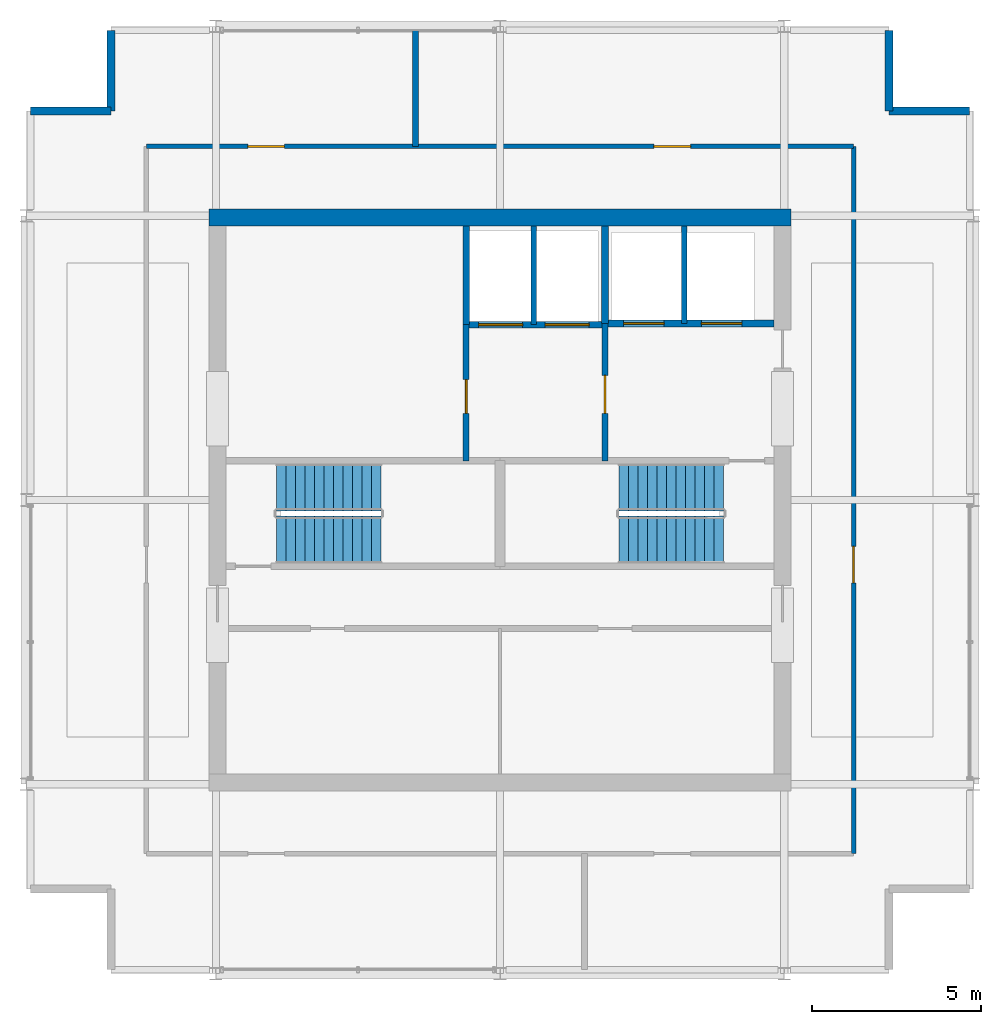
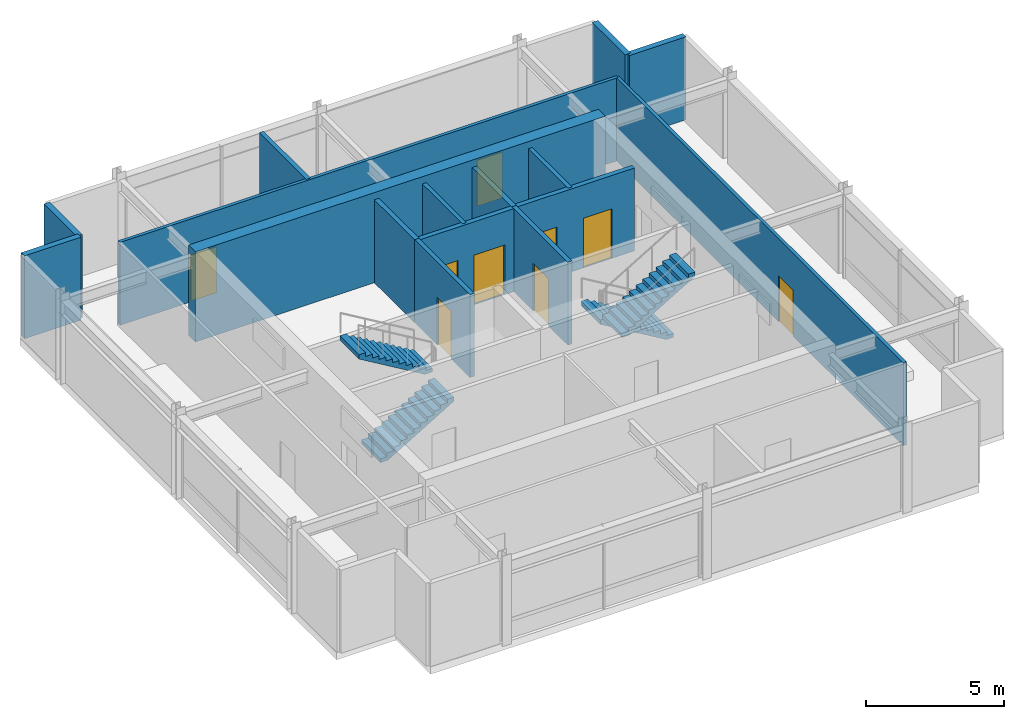
# One storey, part 10 of 12: 16 walls, 9 doors, 4 stair flights, 9 openings, 2 elements without a shape of their own.
"""IFC4 building model written with IfcOpenShell, lengths in metres."""

from ifc_helpers import new_model, si_unit, direction, frame, frame_2d, origin, place, context, subcontext, project, spatial, polyline, rectangle, outline, extrude, material, layer, layer_set, type_object, element, fill, aggregate, save


model = new_model("IFC4")

# Units and contexts
model_context = context("Model", 3, precision=1e-05, world=origin(), true_north=direction((0.0, 1.0)))
body_context = subcontext(model_context, "Body", "Model", "MODEL_VIEW")
ifc_project = project(units=[si_unit("LENGTHUNIT", "METRE"), si_unit("AREAUNIT", "SQUARE_METRE"), si_unit("VOLUMEUNIT", "CUBIC_METRE"), si_unit("PLANEANGLEUNIT", "RADIAN"), si_unit("MASSUNIT", "GRAM", prefix="KILO")], contexts=[model_context])

# Site, building, storey
site_placement = place(None, origin())
site = spatial("IfcSite", under=ifc_project, at=site_placement, CompositionType="ELEMENT")
building_placement = place(site_placement, origin())
building = spatial("IfcBuilding", under=site, at=building_placement, Name="Drelvath Grand Hotel", CompositionType="ELEMENT")
storey_placement = place(building_placement, frame((0.0, 0.0, 315.39990234375)))
storey = spatial("IfcBuildingStorey", under=building, at=storey_placement, Name="L82", CompositionType="ELEMENT", Elevation=315.39990234375)

# Wall, openings, doors
ifc_material_1 = material(Name="Concrete C40/50", Category="concrete")
ifc_layer_1 = layer(ifc_material_1, 0.199951171875)
ifc_layer_set_1 = layer_set([ifc_layer_1], Name="Concrete C40/50")
wall_type_1 = type_object("IfcWallType", Name="Core Hoistway Fire Wall 200", PredefinedType="SOLIDWALL", material=ifc_layer_set_1)
wall_1_placement = place(storey_placement, frame((3.10009765625, 32.219970703125, 0.0), z_axis=(0.0, 0.0, 1.0), x_axis=(1.0, 0.0, 0.0)))
wall_1 = element("IfcWall", 1, at=wall_1_placement, inside=storey, type_object=wall_type_1, Name="L82 FSAE Hoistway Front Wall", PredefinedType="SOLIDWALL", context=body_context, shape_type="SweptSolid", body=[
    extrude(rectangle(XDim=5.0, YDim=0.199951171875, at=frame_2d((2.5, 0.0))), origin(), (0.0, 0.0, 1.0), 3.68017578125),
])
opening_1_placement = place(wall_1_placement, frame((0.550048828125, 0.0, 0.0)))
opening_1 = element("IfcOpeningElement", 2, at=opening_1_placement, cuts=wall_1, Name="Opening LD-FSAE-1", PredefinedType="OPENING", context=body_context, shape_type="SweptSolid", body=[
    extrude(rectangle(XDim=1.199951171875, YDim=2.199951171875, at=frame_2d((0.60009765625, 1.10009765625))), frame((0.0, 0.10986328125, 0.0), z_axis=(0.0, -1.0, 0.0), x_axis=(1.0, 0.0, 0.0)), (0.0, 0.0, 1.0), 0.219970703125),
])
opening_2_placement = place(wall_1_placement, frame((2.85009765625, 0.0, 0.0)))
opening_2 = element("IfcOpeningElement", 3, at=opening_2_placement, cuts=wall_1, Name="Opening LD-FSAE-2", PredefinedType="OPENING", context=body_context, shape_type="SweptSolid", body=[
    extrude(rectangle(XDim=1.199951171875, YDim=2.199951171875, at=frame_2d((0.60009765625, 1.10009765625))), frame((0.0, 0.10986328125, 0.0), z_axis=(0.0, -1.0, 0.0), x_axis=(1.0, 0.0, 0.0)), (0.0, 0.0, 1.0), 0.219970703125),
])
ifc_material_2 = material(Name="Stainless Steel S355", Category="steel")
door_type_1 = type_object("IfcDoorType", Name="FSAE Lift Sliding Landing Door 1200x2200", OperationType="NOTDEFINED", PredefinedType="DOOR", material=ifc_material_2)
door_1_placement = place(opening_1_placement, origin())
door_1 = element("IfcDoor", 4, at=door_1_placement, inside=storey, type_object=door_type_1, Name="L82 Lift FSAE-1 Landing Door", OperationType="SLIDING_TO_LEFT", OverallHeight=2.199951171875, OverallWidth=1.199951171875, PredefinedType="DOOR", context=body_context, shape_type="SweptSolid", body=[
    extrude(rectangle(XDim=1.199951171875, YDim=2.199951171875, at=frame_2d((0.60009765625, 1.10009765625))), frame((0.0, 0.02490234375, 0.0), z_axis=(0.0, -1.0, 0.0), x_axis=(1.0, 0.0, 0.0)), (0.0, 0.0, 1.0), 0.050048828125),
])
fill(opening_1, door_1)
door_2_placement = place(opening_2_placement, origin())
door_2 = element("IfcDoor", 5, at=door_2_placement, inside=storey, type_object=door_type_1, Name="L82 Lift FSAE-2 Landing Door", OperationType="SLIDING_TO_LEFT", OverallHeight=2.199951171875, OverallWidth=1.199951171875, PredefinedType="DOOR", context=body_context, shape_type="SweptSolid", body=[
    extrude(rectangle(XDim=1.199951171875, YDim=2.199951171875, at=frame_2d((0.60009765625, 1.10009765625))), frame((0.0, 0.02490234375, 0.0), z_axis=(0.0, -1.0, 0.0), x_axis=(1.0, 0.0, 0.0)), (0.0, 0.0, 1.0), 0.050048828125),
])
fill(opening_2, door_2)

# Wall
wall_2_placement = place(storey_placement, frame((3.10009765625, 32.219970703125, 0.0), z_axis=(0.0, 0.0, 1.0), x_axis=(0.0, 1.0, 0.0)))
element("IfcWall", 6, at=wall_2_placement, inside=storey, type_object=wall_type_1, Name="L82 FSAE Hoistway West Wall", PredefinedType="SOLIDWALL", context=body_context, shape_type="SweptSolid", body=[
    extrude(rectangle(XDim=2.880126953125, YDim=0.199951171875, at=frame_2d((1.43994140625, 0.0))), origin(), (0.0, 0.0, 1.0), 3.68017578125),
])

# Wall, openings, doors
wall_3_placement = place(storey_placement, frame((-1.0, 32.179931640625, 0.0), z_axis=(0.0, 0.0, 1.0), x_axis=(1.0, 0.0, 0.0)))
wall_3 = element("IfcWall", 7, at=wall_3_placement, inside=storey, type_object=wall_type_1, Name="L82 Service Lift Hoistway Wall", PredefinedType="SOLIDWALL", context=body_context, shape_type="SweptSolid", body=[
    extrude(rectangle(XDim=4.10009765625, YDim=0.199951171875, at=frame_2d((2.050048828125, 0.0))), origin(), (0.0, 0.0, 1.0), 3.68017578125),
])
opening_3_placement = place(wall_3_placement, frame((0.3701171875, 0.0, 0.0)))
opening_3 = element("IfcOpeningElement", 8, at=opening_3_placement, cuts=wall_3, Name="Opening LD-SV-2", PredefinedType="OPENING", context=body_context, shape_type="SweptSolid", body=[
    extrude(rectangle(XDim=1.300048828125, YDim=2.199951171875, at=frame_2d((0.64990234375, 1.10009765625))), frame((0.0, 0.10986328125, 0.0), z_axis=(0.0, -1.0, 0.0), x_axis=(1.0, 0.0, 0.0)), (0.0, 0.0, 1.0), 0.219970703125),
])
opening_4_placement = place(wall_3_placement, frame((2.330078125, 0.0, 0.0)))
opening_4 = element("IfcOpeningElement", 9, at=opening_4_placement, cuts=wall_3, Name="Opening LD-SV-1", PredefinedType="OPENING", context=body_context, shape_type="SweptSolid", body=[
    extrude(rectangle(XDim=1.300048828125, YDim=2.199951171875, at=frame_2d((0.64990234375, 1.10009765625))), frame((0.0, 0.10986328125, 0.0), z_axis=(0.0, -1.0, 0.0), x_axis=(1.0, 0.0, 0.0)), (0.0, 0.0, 1.0), 0.219970703125),
])
door_type_2 = type_object("IfcDoorType", Name="Service Lift Sliding Landing Door 1300x2200", OperationType="NOTDEFINED", PredefinedType="DOOR", material=ifc_material_2)
door_3_placement = place(opening_3_placement, origin())
door_3 = element("IfcDoor", 10, at=door_3_placement, inside=storey, type_object=door_type_2, Name="L82 Lift SV-2 Landing Door", OperationType="SLIDING_TO_LEFT", OverallHeight=2.199951171875, OverallWidth=1.300048828125, PredefinedType="DOOR", context=body_context, shape_type="SweptSolid", body=[
    extrude(rectangle(XDim=1.300048828125, YDim=2.199951171875, at=frame_2d((0.64990234375, 1.10009765625))), frame((0.0, 0.02490234375, 0.0), z_axis=(0.0, -1.0, 0.0), x_axis=(1.0, 0.0, 0.0)), (0.0, 0.0, 1.0), 0.050048828125),
])
fill(opening_3, door_3)
door_4_placement = place(opening_4_placement, origin())
door_4 = element("IfcDoor", 11, at=door_4_placement, inside=storey, type_object=door_type_2, Name="L82 Lift SV-1 Landing Door", OperationType="SLIDING_TO_LEFT", OverallHeight=2.199951171875, OverallWidth=1.300048828125, PredefinedType="DOOR", context=body_context, shape_type="SweptSolid", body=[
    extrude(rectangle(XDim=1.300048828125, YDim=2.199951171875, at=frame_2d((0.64990234375, 1.10009765625))), frame((0.0, 0.02490234375, 0.0), z_axis=(0.0, -1.0, 0.0), x_axis=(1.0, 0.0, 0.0)), (0.0, 0.0, 1.0), 0.050048828125),
])
fill(opening_4, door_4)

# Walls
wall_4_placement = place(storey_placement, frame((-1.0, 32.179931640625, 0.0), z_axis=(0.0, 0.0, 1.0), x_axis=(0.0, 1.0, 0.0)))
element("IfcWall", 12, at=wall_4_placement, inside=storey, type_object=wall_type_1, Name="L82 Service Lift West Wall", PredefinedType="SOLIDWALL", context=body_context, shape_type="SweptSolid", body=[
    extrude(rectangle(XDim=2.920166015625, YDim=0.199951171875, at=frame_2d((1.4599609375, 0.0))), origin(), (0.0, 0.0, 1.0), 3.68017578125),
])
ifc_material_3 = material(Name="Gypsum Fireboard Partition")
ifc_layer_2 = layer(ifc_material_3, 0.1650390625)
ifc_layer_set_2 = layer_set([ifc_layer_2], Name="Gypsum Fireboard Partition")
wall_type_2 = type_object("IfcWallType", Name="Core Shaft Partition 165", PredefinedType="PARTITIONING", material=ifc_layer_set_2)
wall_5_placement = place(storey_placement, frame((5.449951171875, 32.219970703125, 0.0), z_axis=(0.0, 0.0, 1.0), x_axis=(0.0, 1.0, 0.0)))
element("IfcWall", 13, at=wall_5_placement, inside=storey, type_object=wall_type_2, Name="L82 FSAE Hoistway Divider", PredefinedType="PARTITIONING", context=body_context, shape_type="SweptSolid", body=[
    extrude(rectangle(XDim=2.880126953125, YDim=0.1650390625, at=frame_2d((1.43994140625, 0.0))), origin(), (0.0, 0.0, 1.0), 3.68017578125),
])
wall_6_placement = place(storey_placement, frame((1.0, 32.179931640625, 0.0), z_axis=(0.0, 0.0, 1.0), x_axis=(0.0, 1.0, 0.0)))
element("IfcWall", 14, at=wall_6_placement, inside=storey, type_object=wall_type_2, Name="L82 Service Lift Divider", PredefinedType="PARTITIONING", context=body_context, shape_type="SweptSolid", body=[
    extrude(rectangle(XDim=2.920166015625, YDim=0.1650390625, at=frame_2d((1.4599609375, 0.0))), origin(), (0.0, 0.0, 1.0), 3.68017578125),
])

# Wall, openings, doors
ifc_layer_3 = layer(ifc_material_3, 0.135009765625)
ifc_layer_set_3 = layer_set([ifc_layer_3], Name="Gypsum Fireboard Partition")
wall_type_3 = type_object("IfcWallType", Name="Corridor Fire Barrier Wall 135", PredefinedType="PARTITIONING", material=ifc_layer_set_3)
wall_7_placement = place(storey_placement, frame((-10.449951171875, 37.449951171875, 0.0), z_axis=(0.0, 0.0, 1.0), x_axis=(1.0, 0.0, 0.0)))
wall_7 = element("IfcWall", 15, at=wall_7_placement, inside=storey, type_object=wall_type_3, Name="L82 Crown North Corridor Wall", PredefinedType="PARTITIONING", context=body_context, shape_type="SweptSolid", body=[
    extrude(rectangle(XDim=20.89990234375, YDim=0.135009765625, at=frame_2d((10.449951171875, 0.0))), origin(), (0.0, 0.0, 1.0), 3.68017578125),
])
opening_5_placement = place(wall_7_placement, frame((3.0, 0.0, 0.0)))
opening_5 = element("IfcOpeningElement", 16, at=opening_5_placement, cuts=wall_7, Name="Opening D-L82-016", PredefinedType="OPENING", context=body_context, shape_type="SweptSolid", body=[
    extrude(rectangle(XDim=1.080078125, YDim=2.0400390625, at=frame_2d((0.5400390625, 1.02001953125))), frame((0.0, 0.077392578125, 0.0), z_axis=(0.0, -1.0, 0.0), x_axis=(1.0, 0.0, 0.0)), (0.0, 0.0, 1.0), 0.155029296875),
])
opening_6_placement = place(wall_7_placement, frame((15.0, 0.0, 0.0)))
opening_6 = element("IfcOpeningElement", 17, at=opening_6_placement, cuts=wall_7, Name="Opening D-L82-017", PredefinedType="OPENING", context=body_context, shape_type="SweptSolid", body=[
    extrude(rectangle(XDim=1.080078125, YDim=2.0400390625, at=frame_2d((0.5400390625, 1.02001953125))), frame((0.0, 0.077392578125, 0.0), z_axis=(0.0, -1.0, 0.0), x_axis=(1.0, 0.0, 0.0)), (0.0, 0.0, 1.0), 0.155029296875),
])
ifc_material_4 = material(Name="Painted Steel S275", Category="steel")
door_type_3 = type_object("IfcDoorType", Name="Core Corridor Fire Door 1080x2100", OperationType="NOTDEFINED", PredefinedType="DOOR", material=ifc_material_4)
door_5_placement = place(opening_5_placement, origin())
door_5 = element("IfcDoor", 18, at=door_5_placement, inside=storey, type_object=door_type_3, Name="L82 Transmitter Plant Door", OperationType="SINGLE_SWING_RIGHT", OverallHeight=2.0400390625, OverallWidth=1.080078125, PredefinedType="DOOR", context=body_context, shape_type="SweptSolid", body=[
    extrude(rectangle(XDim=1.080078125, YDim=2.0400390625, at=frame_2d((0.5400390625, 1.02001953125))), frame((0.0, 0.02490234375, 0.0), z_axis=(0.0, -1.0, 0.0), x_axis=(1.0, 0.0, 0.0)), (0.0, 0.0, 1.0), 0.050048828125),
])
fill(opening_5, door_5)
door_6_placement = place(opening_6_placement, origin())
door_6 = element("IfcDoor", 19, at=door_6_placement, inside=storey, type_object=door_type_3, Name="L82 TMD Plant Door", OperationType="SINGLE_SWING_LEFT", OverallHeight=2.0400390625, OverallWidth=1.080078125, PredefinedType="DOOR", context=body_context, shape_type="SweptSolid", body=[
    extrude(rectangle(XDim=1.080078125, YDim=2.0400390625, at=frame_2d((0.5400390625, 1.02001953125))), frame((0.0, 0.02490234375, 0.0), z_axis=(0.0, -1.0, 0.0), x_axis=(1.0, 0.0, 0.0)), (0.0, 0.0, 1.0), 0.050048828125),
])
fill(opening_6, door_6)

# Wall, opening, door
wall_8_placement = place(storey_placement, frame((10.449951171875, 16.550048828125, 0.0), z_axis=(0.0, 0.0, 1.0), x_axis=(0.0, 1.0, 0.0)))
wall_8 = element("IfcWall", 20, at=wall_8_placement, inside=storey, type_object=wall_type_3, Name="L82 Crown East Corridor Wall", PredefinedType="PARTITIONING", context=body_context, shape_type="SweptSolid", body=[
    extrude(rectangle(XDim=20.89990234375, YDim=0.135009765625, at=frame_2d((10.449951171875, 0.0))), origin(), (0.0, 0.0, 1.0), 3.68017578125),
])
opening_7_placement = place(wall_8_placement, frame((8.0, 0.0, 0.0)))
opening_7 = element("IfcOpeningElement", 21, at=opening_7_placement, cuts=wall_8, Name="Opening D-L82-019", PredefinedType="OPENING", context=body_context, shape_type="SweptSolid", body=[
    extrude(rectangle(XDim=1.080078125, YDim=2.0400390625, at=frame_2d((0.5400390625, 1.02001953125))), frame((0.0, 0.077392578125, 0.0), z_axis=(0.0, -1.0, 0.0), x_axis=(1.0, 0.0, 0.0)), (0.0, 0.0, 1.0), 0.155029296875),
])
door_7_placement = place(opening_7_placement, origin())
door_7 = element("IfcDoor", 22, at=door_7_placement, inside=storey, type_object=door_type_3, Name="L82 Pressurization Fan Door", OperationType="SINGLE_SWING_LEFT", OverallHeight=2.0400390625, OverallWidth=1.080078125, PredefinedType="DOOR", context=body_context, shape_type="SweptSolid", body=[
    extrude(rectangle(XDim=1.080078125, YDim=2.0400390625, at=frame_2d((0.5400390625, 1.02001953125))), frame((0.0, 0.02490234375, 0.0), z_axis=(0.0, -1.0, 0.0), x_axis=(1.0, 0.0, 0.0)), (0.0, 0.0, 1.0), 0.050048828125),
])
fill(opening_7, door_7)

ifc_layer_4 = layer(ifc_material_3, 0.179931640625)
ifc_layer_set_4 = layer_set([ifc_layer_4], Name="Gypsum Fireboard Partition")
wall_type_4 = type_object("IfcWallType", Name="FSAE Smoke Lobby Fire Wall 180", PredefinedType="SOLIDWALL", material=ifc_layer_set_4)
wall_9_placement = place(storey_placement, frame((3.10009765625, 28.159912109375, 0.0), z_axis=(0.0, 0.0, 1.0), x_axis=(0.0, 1.0, 0.0)))
wall_9 = element("IfcWall", 23, at=wall_9_placement, inside=storey, type_object=wall_type_4, Name="L82 FSAE Smoke Lobby West Wall", PredefinedType="SOLIDWALL", context=body_context, shape_type="SweptSolid", body=[
    extrude(rectangle(XDim=4.06005859375, YDim=0.179931640625, at=frame_2d((2.030029296875, 0.0))), origin(), (0.0, 0.0, 1.0), 3.68017578125),
])
opening_8_placement = place(wall_9_placement, frame((1.39990234375, 0.0, 0.0)))
opening_8 = element("IfcOpeningElement", 24, at=opening_8_placement, cuts=wall_9, Name="Opening D-L82-005", PredefinedType="OPENING", context=body_context, shape_type="SweptSolid", body=[
    extrude(rectangle(XDim=1.1201171875, YDim=2.10009765625, at=frame_2d((0.56005859375, 1.050048828125))), frame((0.0, 0.099853515625, 0.0), z_axis=(0.0, -1.0, 0.0), x_axis=(1.0, 0.0, 0.0)), (0.0, 0.0, 1.0), 0.199951171875),
])
door_type_4 = type_object("IfcDoorType", Name="FSAE Smoke Lobby Fire Door 1120x2100", OperationType="NOTDEFINED", PredefinedType="DOOR", material=ifc_material_4)
door_8_placement = place(opening_8_placement, origin())
door_8 = element("IfcDoor", 25, at=door_8_placement, inside=storey, type_object=door_type_4, Name="L82 FSAE Lobby Service Vestibule Door", OperationType="SINGLE_SWING_RIGHT", OverallHeight=2.10009765625, OverallWidth=1.1201171875, PredefinedType="DOOR", context=body_context, shape_type="SweptSolid", body=[
    extrude(rectangle(XDim=1.1201171875, YDim=2.10009765625, at=frame_2d((0.56005859375, 1.050048828125))), frame((0.0, 0.02490234375, 0.0), z_axis=(0.0, -1.0, 0.0), x_axis=(1.0, 0.0, 0.0)), (0.0, 0.0, 1.0), 0.050048828125),
])
fill(opening_8, door_8)

wall_10_placement = place(storey_placement, frame((-1.0, 28.159912109375, 0.0), z_axis=(0.0, 0.0, 1.0), x_axis=(0.0, 1.0, 0.0)))
wall_10 = element("IfcWall", 26, at=wall_10_placement, inside=storey, type_object=wall_type_4, Name="L82 Service Vestibule West Wall", PredefinedType="SOLIDWALL", context=body_context, shape_type="SweptSolid", body=[
    extrude(rectangle(XDim=4.02001953125, YDim=0.179931640625, at=frame_2d((2.010009765625, 0.0))), origin(), (0.0, 0.0, 1.0), 3.68017578125),
])
opening_9_placement = place(wall_10_placement, frame((1.39990234375, 0.0, 0.0)))
opening_9 = element("IfcOpeningElement", 27, at=opening_9_placement, cuts=wall_10, Name="Opening D-L82-009", PredefinedType="OPENING", context=body_context, shape_type="SweptSolid", body=[
    extrude(rectangle(XDim=1.0, YDim=2.10009765625, at=frame_2d((0.5, 1.050048828125))), frame((0.0, 0.099853515625, 0.0), z_axis=(0.0, -1.0, 0.0), x_axis=(1.0, 0.0, 0.0)), (0.0, 0.0, 1.0), 0.199951171875),
])
door_type_5 = type_object("IfcDoorType", Name="Core Service Fire Door 1000x2100", OperationType="NOTDEFINED", PredefinedType="DOOR", material=ifc_material_4)
door_9_placement = place(opening_9_placement, origin())
door_9 = element("IfcDoor", 28, at=door_9_placement, inside=storey, type_object=door_type_5, Name="L82 Service Vestibule West Door", OperationType="SINGLE_SWING_LEFT", OverallHeight=2.10009765625, OverallWidth=1.0, PredefinedType="DOOR", context=body_context, shape_type="SweptSolid", body=[
    extrude(rectangle(XDim=1.0, YDim=2.10009765625, at=frame_2d((0.5, 1.050048828125))), frame((0.0, 0.02490234375, 0.0), z_axis=(0.0, -1.0, 0.0), x_axis=(1.0, 0.0, 0.0)), (0.0, 0.0, 1.0), 0.050048828125),
])
fill(opening_9, door_9)

# Walls
wall_11_placement = place(storey_placement, frame((-2.5, 37.449951171875, 0.0), z_axis=(0.0, 0.0, 1.0), x_axis=(0.0, 1.0, 0.0)))
element("IfcWall", 29, at=wall_11_placement, inside=storey, type_object=wall_type_4, Name="L82 Crown North Split", PredefinedType="SOLIDWALL", context=body_context, shape_type="SweptSolid", body=[
    extrude(rectangle(XDim=3.429931640625, YDim=0.179931640625, at=frame_2d((1.71484375, 0.0))), origin(), (0.0, 0.0, 1.0), 3.68017578125),
])
ifc_material_5 = material(Name="Pale-Metal Insulated Aluminium Spandrel Assembly", Category="aluminium")
ifc_layer_5 = layer(ifc_material_5, 0.239990234375)
ifc_layer_set_5 = layer_set([ifc_layer_5], Name="Pale-Metal Insulated Aluminium Spandrel Assembly")
wall_type_5 = type_object("IfcWallType", Name="Tower Insulated Metal Spandrel Closure Wall 240", PredefinedType="STANDARD", material=ifc_layer_set_5)
for number, where, z_axis, x_axis, name in (
    (30, (-13.8798828125, 38.5, 0.0), (0.0, 0.0, 1.0), (1.0, 0.0, 0.0), "L82 Crown Drum Corner Wall CNW1"),
    (31, (-11.5, 38.5, 0.0), (0.0, 0.0, 1.0), (0.0, 1.0, 0.0), "L82 Crown Drum Corner Wall CNW2"),
    (32, (11.5, 40.8798828125, 0.0), (0.0, 0.0, 1.0), (0.0, -1.0, 0.0), "L82 Crown Drum Corner Wall CNE1"),
    (33, (11.5, 38.5, 0.0), (0.0, 0.0, 1.0), (1.0, 0.0, 0.0), "L82 Crown Drum Corner Wall CNE2"),
):
    element("IfcWall", number, at=place(storey_placement, frame(where, z_axis=z_axis, x_axis=x_axis)), inside=storey, type_object=wall_type_5, Name=name, PredefinedType="STANDARD", context=body_context, shape_type="SweptSolid", body=[
        extrude(rectangle(XDim=2.3798828125, YDim=0.239990234375, at=frame_2d((1.18994140625, 0.0))), origin(), (0.0, 0.0, 1.0), 3.68017578125),
    ])
ifc_material_6 = material(Name="Concrete f'c 55 MPa", Category="concrete")
ifc_layer_6 = layer(ifc_material_6, 0.5)
ifc_layer_set_6 = layer_set([ifc_layer_6], Name="Concrete f'c 55 MPa")
wall_type_6 = type_object("IfcWallType", Name="Upper Core RC Shear Wall 500", PredefinedType="SHEAR", material=ifc_layer_set_6)
wall_12_placement = place(storey_placement, frame((-8.60009765625, 35.35009765625, 0.0), z_axis=(0.0, 0.0, 1.0), x_axis=(1.0, 0.0, 0.0)))
element("IfcWall", 34, at=wall_12_placement, inside=storey, type_object=wall_type_6, Name="L82 Central Core Shear Wall N", PredefinedType="SHEAR", context=body_context, shape_type="SweptSolid", body=[
    extrude(rectangle(XDim=17.2001953125, YDim=0.5, at=frame_2d((8.60009765625, 0.0))), origin(), (0.0, 0.0, 1.0), 4.0),
])

# Stair, stair flights
stair_type = type_object("IfcStairType", Name="Dogleg Exit Stair W1400-R166.7", PredefinedType="HALF_TURN_STAIR", material=ifc_material_1)
stair_1_placement = place(storey_placement, origin())
stair_1 = element("IfcStair", 35, at=stair_1_placement, inside=storey, type_object=stair_type, Name="L82 Core Exit Stair ST-1", PredefinedType="HALF_TURN_STAIR")
stair_flight_type = type_object("IfcStairFlightType", Name="Concrete Stair Flight W1400-R166.7", PredefinedType="STRAIGHT", material=ifc_material_1)
stair_flight_1_placement = place(storey_placement, frame((-6.60009765625, 25.820068359375, 0.0), z_axis=(0.0, 0.0, 1.0), x_axis=(1.0, 0.0, 0.0)))
stair_flight_1 = element("IfcStairFlight", 36, at=stair_flight_1_placement, type_object=stair_flight_type, Name="ST-1 flight 1", NumberOfRisers=12, NumberOfTreads=11, PredefinedType="STRAIGHT", RiserHeight=0.166666667, TreadLength=0.28, context=body_context, shape_type="SweptSolid", body=[
    extrude(outline(polyline([(0.0, 0.0), (0.0, 0.166748046875), (0.280029296875, 0.166748046875), (0.280029296875, 0.333251953125), (0.56005859375, 0.333251953125), (0.56005859375, 0.5), (0.840087890625, 0.5), (0.840087890625, 0.666748046875), (1.1201171875, 0.666748046875), (1.1201171875, 0.833251953125), (1.39990234375, 0.833251953125), (1.39990234375, 1.0), (1.679931640625, 1.0), (1.679931640625, 1.166748046875), (1.9599609375, 1.166748046875), (1.9599609375, 1.333251953125), (2.239990234375, 1.333251953125), (2.239990234375, 1.5), (2.52001953125, 1.5), (2.52001953125, 1.666748046875), (2.800048828125, 1.666748046875), (2.800048828125, 1.833251953125), (3.080078125, 1.833251953125), (3.080078125, 2.0), (3.080078125, 1.647216796875), (0.312744140625, 0.0), (0.0, 0.0)])), frame((0.0, 0.699951171875, 0.0), z_axis=(0.0, -1.0, 0.0), x_axis=(1.0, 0.0, 0.0)), (0.0, 0.0, 1.0), 1.39990234375),
])
stair_flight_2_placement = place(storey_placement, frame((-3.52001953125, 27.3798828125, 2.0), z_axis=(0.0, 0.0, 1.0), x_axis=(-1.0, 0.0, 0.0)))
stair_flight_2 = element("IfcStairFlight", 37, at=stair_flight_2_placement, type_object=stair_flight_type, Name="ST-1 flight 2", NumberOfRisers=12, NumberOfTreads=11, PredefinedType="STRAIGHT", RiserHeight=0.166666667, TreadLength=0.28, context=body_context, shape_type="SweptSolid", body=[
    extrude(outline(polyline([(0.0, 0.0), (0.0, 0.166748046875), (0.280029296875, 0.166748046875), (0.280029296875, 0.333251953125), (0.56005859375, 0.333251953125), (0.56005859375, 0.5), (0.840087890625, 0.5), (0.840087890625, 0.666748046875), (1.1201171875, 0.666748046875), (1.1201171875, 0.833251953125), (1.39990234375, 0.833251953125), (1.39990234375, 1.0), (1.679931640625, 1.0), (1.679931640625, 1.166748046875), (1.9599609375, 1.166748046875), (1.9599609375, 1.333251953125), (2.239990234375, 1.333251953125), (2.239990234375, 1.5), (2.52001953125, 1.5), (2.52001953125, 1.666748046875), (2.800048828125, 1.666748046875), (2.800048828125, 1.833251953125), (3.080078125, 1.833251953125), (3.080078125, 2.0), (3.080078125, 1.647216796875), (0.312744140625, 0.0), (0.0, 0.0)])), frame((0.0, 0.699951171875, 0.0), z_axis=(0.0, -1.0, 0.0), x_axis=(1.0, 0.0, 0.0)), (0.0, 0.0, 1.0), 1.39990234375),
])
aggregate(stair_1, [stair_flight_1, stair_flight_2])

stair_2_placement = place(storey_placement, origin())
stair_2 = element("IfcStair", 38, at=stair_2_placement, inside=storey, type_object=stair_type, Name="L82 Core Exit Stair ST-2", PredefinedType="HALF_TURN_STAIR")
stair_flight_3_placement = place(storey_placement, frame((6.60009765625, 27.3798828125, 0.0), z_axis=(0.0, 0.0, 1.0), x_axis=(-1.0, 0.0, 0.0)))
stair_flight_3 = element("IfcStairFlight", 39, at=stair_flight_3_placement, type_object=stair_flight_type, Name="ST-2 flight 1", NumberOfRisers=12, NumberOfTreads=11, PredefinedType="STRAIGHT", RiserHeight=0.166666667, TreadLength=0.28, context=body_context, shape_type="SweptSolid", body=[
    extrude(outline(polyline([(0.0, 0.0), (0.0, 0.166748046875), (0.280029296875, 0.166748046875), (0.280029296875, 0.333251953125), (0.56005859375, 0.333251953125), (0.56005859375, 0.5), (0.840087890625, 0.5), (0.840087890625, 0.666748046875), (1.1201171875, 0.666748046875), (1.1201171875, 0.833251953125), (1.39990234375, 0.833251953125), (1.39990234375, 1.0), (1.679931640625, 1.0), (1.679931640625, 1.166748046875), (1.9599609375, 1.166748046875), (1.9599609375, 1.333251953125), (2.239990234375, 1.333251953125), (2.239990234375, 1.5), (2.52001953125, 1.5), (2.52001953125, 1.666748046875), (2.800048828125, 1.666748046875), (2.800048828125, 1.833251953125), (3.080078125, 1.833251953125), (3.080078125, 2.0), (3.080078125, 1.647216796875), (0.312744140625, 0.0), (0.0, 0.0)])), frame((0.0, 0.699951171875, 0.0), z_axis=(0.0, -1.0, 0.0), x_axis=(1.0, 0.0, 0.0)), (0.0, 0.0, 1.0), 1.39990234375),
])
stair_flight_4_placement = place(storey_placement, frame((3.52001953125, 25.820068359375, 2.0), z_axis=(0.0, 0.0, 1.0), x_axis=(1.0, 0.0, 0.0)))
stair_flight_4 = element("IfcStairFlight", 40, at=stair_flight_4_placement, type_object=stair_flight_type, Name="ST-2 flight 2", NumberOfRisers=12, NumberOfTreads=11, PredefinedType="STRAIGHT", RiserHeight=0.166666667, TreadLength=0.28, context=body_context, shape_type="SweptSolid", body=[
    extrude(outline(polyline([(0.0, 0.0), (0.0, 0.166748046875), (0.280029296875, 0.166748046875), (0.280029296875, 0.333251953125), (0.56005859375, 0.333251953125), (0.56005859375, 0.5), (0.840087890625, 0.5), (0.840087890625, 0.666748046875), (1.1201171875, 0.666748046875), (1.1201171875, 0.833251953125), (1.39990234375, 0.833251953125), (1.39990234375, 1.0), (1.679931640625, 1.0), (1.679931640625, 1.166748046875), (1.9599609375, 1.166748046875), (1.9599609375, 1.333251953125), (2.239990234375, 1.333251953125), (2.239990234375, 1.5), (2.52001953125, 1.5), (2.52001953125, 1.666748046875), (2.800048828125, 1.666748046875), (2.800048828125, 1.833251953125), (3.080078125, 1.833251953125), (3.080078125, 2.0), (3.080078125, 1.647216796875), (0.312744140625, 0.0), (0.0, 0.0)])), frame((0.0, 0.699951171875, 0.0), z_axis=(0.0, -1.0, 0.0), x_axis=(1.0, 0.0, 0.0)), (0.0, 0.0, 1.0), 1.39990234375),
])
aggregate(stair_2, [stair_flight_3, stair_flight_4])

save(model, "model.ifc")
